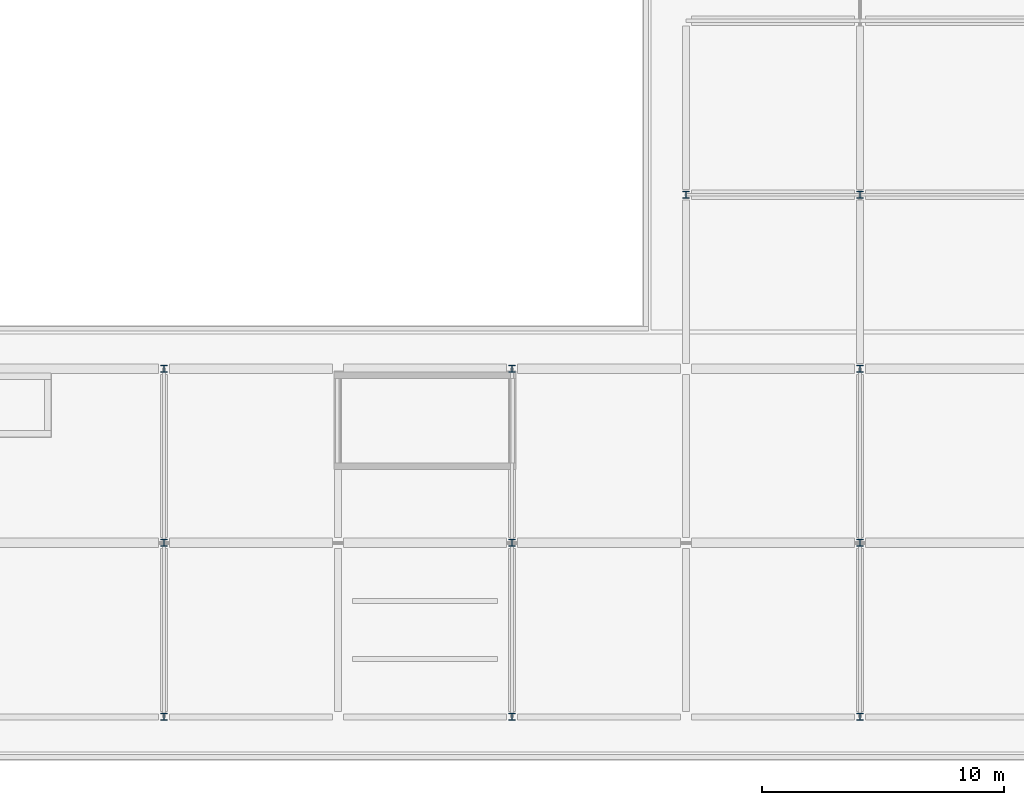
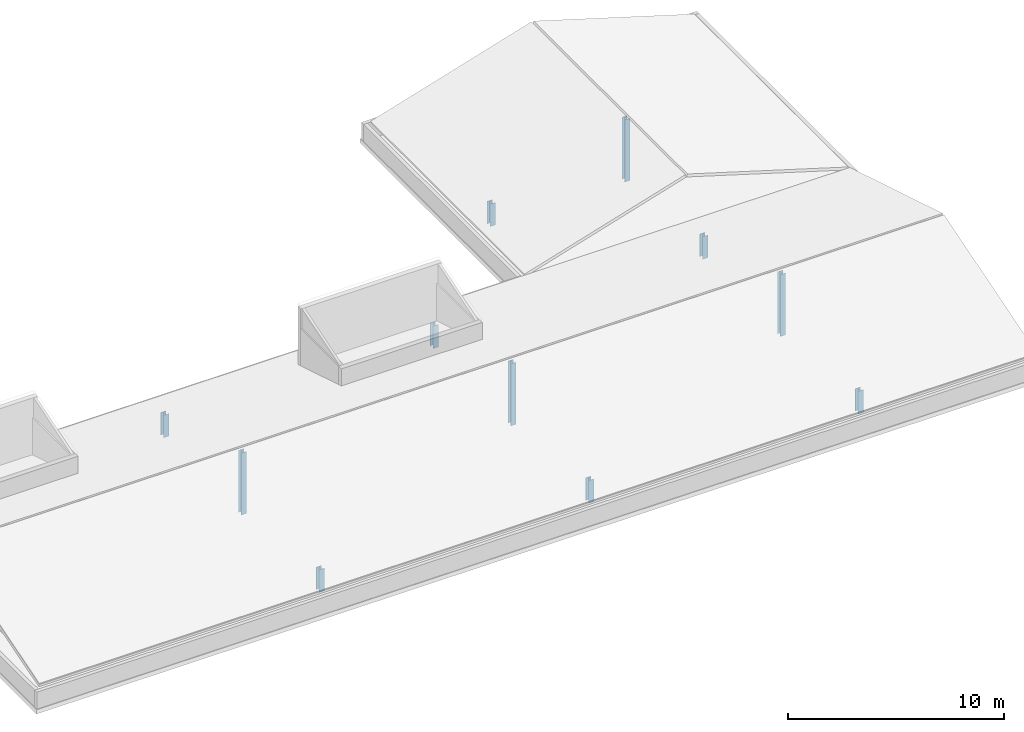
# One storey, part 3 of 45: 11 columns.
"""IFC4 building model written with IfcOpenShell, lengths in metres."""

from ifc_helpers import new_model, si_unit, direction, frame, origin, origin_2d, place, context, subcontext, project, spatial, i_section, extrude, material, material_profile, profile_set, type_object, element, save


model = new_model("IFC4")

# Units and contexts
model_context = context("Model", 3, precision=1e-05, world=origin(), true_north=direction((0.0, 1.0)))
body_context = subcontext(model_context, "Body", "Model", "MODEL_VIEW")
ifc_project = project(units=[si_unit("LENGTHUNIT", "METRE"), si_unit("AREAUNIT", "SQUARE_METRE"), si_unit("VOLUMEUNIT", "CUBIC_METRE"), si_unit("PLANEANGLEUNIT", "RADIAN"), si_unit("MASSUNIT", "GRAM", prefix="KILO")], contexts=[model_context])

# Site, building, storey
site_placement = place(None, origin())
site = spatial("IfcSite", under=ifc_project, at=site_placement, CompositionType="ELEMENT")
building_placement = place(site_placement, origin())
building = spatial("IfcBuilding", under=site, at=building_placement, Name="Suanplinth Sawtooth Commons", CompositionType="ELEMENT")
storey_placement = place(building_placement, frame((0.0, 0.0, 38.0)))
storey = spatial("IfcBuildingStorey", under=building, at=storey_placement, Name="L11", CompositionType="ELEMENT", Elevation=38.0)

# Columns
ifc_material = material(Name="Steel S355JR", Category="steel")
ifc_material_profile = material_profile(ifc_material, i_section(OverallWidth=0.280029296875, OverallDepth=0.280029296875, WebThickness=0.010498046875, FlangeThickness=0.01806640625, at=origin_2d()), Name="HEB 280")
ifc_profile_set = profile_set([ifc_material_profile], Name="Steel S355JR")
column_type = type_object("IfcColumnType", Name="C-11", PredefinedType="COLUMN", material=ifc_profile_set)
column_1_placement = place(storey_placement, frame((151.199951171875, 0.0, 0.0), z_axis=(0.0, 0.0, 1.0), x_axis=(1.0, 0.0, 0.0)))
element("IfcColumn", 1, at=column_1_placement, inside=storey, type_object=column_type, Name="Crown Post C 22", PredefinedType="COLUMN", context=body_context, shape_type="SweptSolid", body=[
    extrude(i_section(OverallWidth=0.280029296875, OverallDepth=0.280029296875, WebThickness=0.010498046875, FlangeThickness=0.01806640625, at=origin_2d()), origin(), (0.0, 0.0, 1.0), 1.27001953125),
])
column_2_placement = place(storey_placement, frame((151.199951171875, 7.199951171875, 0.0), z_axis=(0.0, 0.0, 1.0), x_axis=(1.0, 0.0, 0.0)))
element("IfcColumn", 2, at=column_2_placement, inside=storey, type_object=column_type, Name="Crown Post C 22", PredefinedType="COLUMN", context=body_context, shape_type="SweptSolid", body=[
    extrude(i_section(OverallWidth=0.280029296875, OverallDepth=0.280029296875, WebThickness=0.010498046875, FlangeThickness=0.01806640625, at=origin_2d()), origin(), (0.0, 0.0, 1.0), 3.5),
])
for number, where, z_axis, x_axis, name in (
    (3, (151.199951171875, 14.39990234375, 0.0), (0.0, 0.0, 1.0), (1.0, 0.0, 0.0), "Crown Post C 22"),
    (4, (165.60009765625, 0.0, 0.0), (0.0, 0.0, 1.0), (1.0, 0.0, 0.0), "Crown Post C 24"),
):
    element("IfcColumn", number, at=place(storey_placement, frame(where, z_axis=z_axis, x_axis=x_axis)), inside=storey, type_object=column_type, Name=name, PredefinedType="COLUMN", context=body_context, shape_type="SweptSolid", body=[
        extrude(i_section(OverallWidth=0.280029296875, OverallDepth=0.280029296875, WebThickness=0.010498046875, FlangeThickness=0.01806640625, at=origin_2d()), origin(), (0.0, 0.0, 1.0), 1.27001953125),
    ])
column_3_placement = place(storey_placement, frame((165.60009765625, 7.199951171875, 0.0), z_axis=(0.0, 0.0, 1.0), x_axis=(1.0, 0.0, 0.0)))
element("IfcColumn", 5, at=column_3_placement, inside=storey, type_object=column_type, Name="Crown Post C 24", PredefinedType="COLUMN", context=body_context, shape_type="SweptSolid", body=[
    extrude(i_section(OverallWidth=0.280029296875, OverallDepth=0.280029296875, WebThickness=0.010498046875, FlangeThickness=0.01806640625, at=origin_2d()), origin(), (0.0, 0.0, 1.0), 3.5),
])
for number, where, z_axis, x_axis, name in (
    (6, (165.60009765625, 14.39990234375, 0.0), (0.0, 0.0, 1.0), (1.0, 0.0, 0.0), "Crown Post C 24"),
    (7, (180.0, 0.0, 0.0), (0.0, 0.0, 1.0), (1.0, 0.0, 0.0), "Crown Post C 26"),
):
    element("IfcColumn", number, at=place(storey_placement, frame(where, z_axis=z_axis, x_axis=x_axis)), inside=storey, type_object=column_type, Name=name, PredefinedType="COLUMN", context=body_context, shape_type="SweptSolid", body=[
        extrude(i_section(OverallWidth=0.280029296875, OverallDepth=0.280029296875, WebThickness=0.010498046875, FlangeThickness=0.01806640625, at=origin_2d()), origin(), (0.0, 0.0, 1.0), 1.27001953125),
    ])
column_4_placement = place(storey_placement, frame((180.0, 7.199951171875, 0.0), z_axis=(0.0, 0.0, 1.0), x_axis=(1.0, 0.0, 0.0)))
element("IfcColumn", 8, at=column_4_placement, inside=storey, type_object=column_type, Name="Crown Post C 26", PredefinedType="COLUMN", context=body_context, shape_type="SweptSolid", body=[
    extrude(i_section(OverallWidth=0.280029296875, OverallDepth=0.280029296875, WebThickness=0.010498046875, FlangeThickness=0.01806640625, at=origin_2d()), origin(), (0.0, 0.0, 1.0), 3.5),
])
for number, where, z_axis, x_axis, name in (
    (9, (180.0, 14.39990234375, 0.0), (0.0, 0.0, 1.0), (1.0, 0.0, 0.0), "Crown Post C 26"),
    (10, (172.800048828125, 21.60009765625, 0.0), (0.0, 0.0, 1.0), (1.0, 0.0, 0.0), "Return Crown Post C 3"),
):
    element("IfcColumn", number, at=place(storey_placement, frame(where, z_axis=z_axis, x_axis=x_axis)), inside=storey, type_object=column_type, Name=name, PredefinedType="COLUMN", context=body_context, shape_type="SweptSolid", body=[
        extrude(i_section(OverallWidth=0.280029296875, OverallDepth=0.280029296875, WebThickness=0.010498046875, FlangeThickness=0.01806640625, at=origin_2d()), origin(), (0.0, 0.0, 1.0), 1.27001953125),
    ])
column_5_placement = place(storey_placement, frame((180.0, 21.60009765625, 0.0), z_axis=(0.0, 0.0, 1.0), x_axis=(1.0, 0.0, 0.0)))
element("IfcColumn", 11, at=column_5_placement, inside=storey, type_object=column_type, Name="Return Crown Post C 3", PredefinedType="COLUMN", context=body_context, shape_type="SweptSolid", body=[
    extrude(i_section(OverallWidth=0.280029296875, OverallDepth=0.280029296875, WebThickness=0.010498046875, FlangeThickness=0.01806640625, at=origin_2d()), origin(), (0.0, 0.0, 1.0), 3.5),
])

save(model, "model.ifc")
